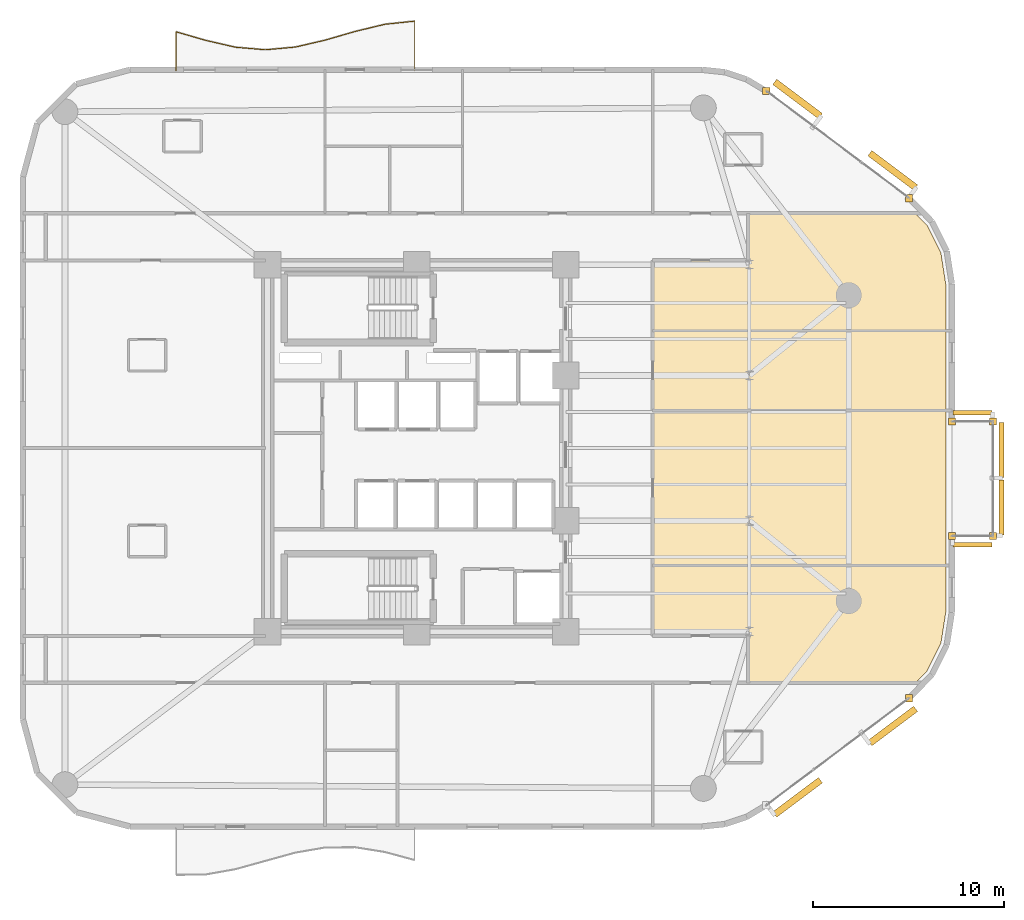
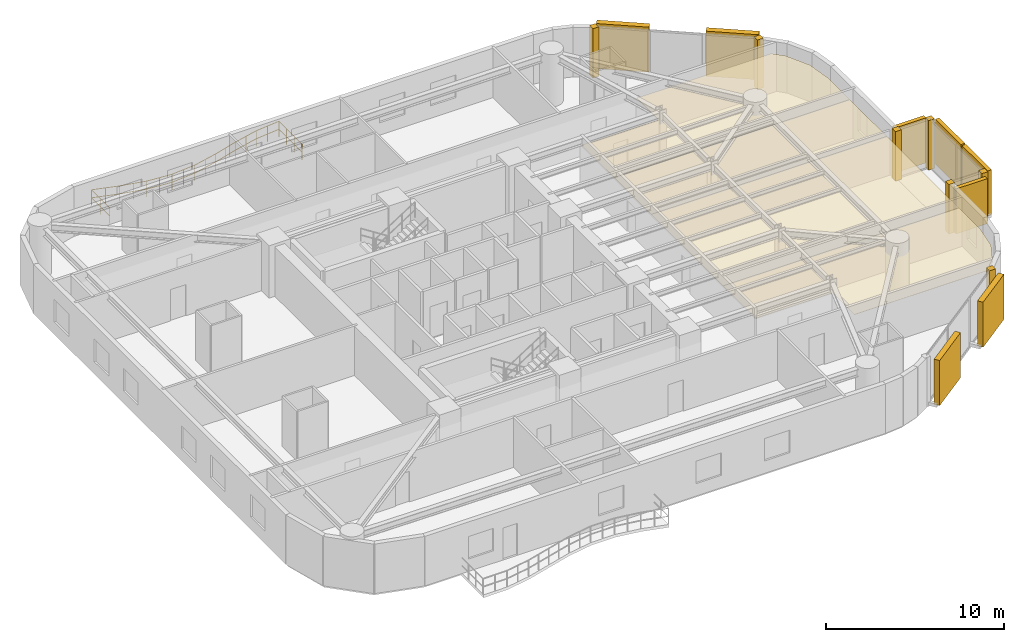
# One storey, part 13 of 13: 11 coverings, 8 shading devices, 1 railing.
"""IFC4 building model written with IfcOpenShell, lengths in metres."""

from ifc_helpers import new_model, si_unit, direction, frame, origin, origin_2d, place, context, subcontext, project, spatial, polyline, rectangle, circle, outline, extrude, material, layer, layer_set, type_object, element, save


model = new_model("IFC4")

# Units and contexts
model_context = context("Model", 3, precision=1e-05, world=origin(), true_north=direction((0.0, 1.0)))
body_context = subcontext(model_context, "Body", "Model", "MODEL_VIEW")
ifc_project = project(units=[si_unit("LENGTHUNIT", "METRE"), si_unit("AREAUNIT", "SQUARE_METRE"), si_unit("VOLUMEUNIT", "CUBIC_METRE"), si_unit("PLANEANGLEUNIT", "RADIAN"), si_unit("MASSUNIT", "GRAM", prefix="KILO")], contexts=[model_context])

# Site, building, storey
site_placement = place(None, origin())
site = spatial("IfcSite", under=ifc_project, at=site_placement, CompositionType="ELEMENT")
building_placement = place(site_placement, origin())
building = spatial("IfcBuilding", under=site, at=building_placement, Name="An Khanh Terracotta Commons", CompositionType="ELEMENT")
storey_placement = place(building_placement, frame((0.0, 0.0, 125.89990234375)))
storey = spatial("IfcBuildingStorey", under=building, at=storey_placement, Name="L33", CompositionType="ELEMENT", Elevation=125.89990234375)

# Coverings
ifc_material_1 = material(Name="Perforated Mineral-Fibre Acoustic Tile")
ifc_layer_1 = layer(ifc_material_1, 0.02001953125, Name="Perforated Mineral-Fibre Acoustic Tile")
ifc_layer_set_1 = layer_set([ifc_layer_1], Name="Perforated Mineral-Fibre Acoustic Tile")
covering_type_1 = type_object("IfcCoveringType", Name="CEIL-ACOUSTIC-18", PredefinedType="CEILING", material=ifc_layer_set_1)
covering_1_placement = place(storey_placement, frame((0.0, 0.0, 2.650146484375)))
element("IfcCovering", 1, at=covering_1_placement, inside=storey, type_object=covering_type_1, Name="L33 Collaborative Study Lounge Ceiling", PredefinedType="CEILING", context=body_context, shape_type="SweptSolid", body=[
    extrude(outline(polyline([(57.080078125, 15.425048828125), (56.825927734375, 13.7939453125), (56.10009765625, 12.342041015625), (55.492919921875, 11.719970703125), (46.75, 11.719970703125), (46.75, 14.179931640625), (41.75, 14.179931640625), (41.75, 17.860107421875), (57.080078125, 17.860107421875), (57.080078125, 15.425048828125)])), origin(), (0.0, 0.0, 1.0), 0.02001953125),
])
covering_2_placement = place(storey_placement, frame((0.0, 0.0, 2.650146484375)))
element("IfcCovering", 2, at=covering_2_placement, inside=storey, type_object=covering_type_1, Name="L33 Riverfront Reading Hall Ceiling", PredefinedType="CEILING", context=body_context, shape_type="SweptSolid", body=[
    extrude(outline(polyline([(57.080078125, 17.860107421875), (41.75, 17.860107421875), (41.75, 25.965087890625), (57.080078125, 25.965087890625), (57.080078125, 17.860107421875)])), origin(), (0.0, 0.0, 1.0), 0.02001953125),
])
covering_3_placement = place(storey_placement, frame((0.0, 0.0, 2.650146484375)))
element("IfcCovering", 3, at=covering_3_placement, inside=storey, type_object=covering_type_1, Name="L33 Collaborative Study Lounge Ceiling", PredefinedType="CEILING", context=body_context, shape_type="SweptSolid", body=[
    extrude(outline(polyline([(57.080078125, 25.965087890625), (41.75, 25.965087890625), (41.75, 30.139892578125), (57.080078125, 30.139892578125), (57.080078125, 25.965087890625)])), origin(), (0.0, 0.0, 1.0), 0.02001953125),
])
covering_4_placement = place(storey_placement, frame((0.0, 0.0, 2.650146484375)))
element("IfcCovering", 4, at=covering_4_placement, inside=storey, type_object=covering_type_1, Name="L33 Collaborative Study Lounge Ceiling", PredefinedType="CEILING", context=body_context, shape_type="SweptSolid", body=[
    extrude(outline(polyline([(56.10009765625, 35.657958984375), (56.825927734375, 34.2060546875), (57.080078125, 32.574951171875), (57.080078125, 30.139892578125), (41.75, 30.139892578125), (41.75, 33.820068359375), (46.75, 33.820068359375), (46.75, 36.280029296875), (55.492919921875, 36.280029296875), (56.10009765625, 35.657958984375)])), origin(), (0.0, 0.0, 1.0), 0.02001953125),
])
ifc_material_2 = material(Name="Fired Terracotta Rainscreen Cladding", Category="masonry")
ifc_layer_2 = layer(ifc_material_2, 0.080078125, Name="Fired Terracotta Rainscreen Cladding")
ifc_layer_set_2 = layer_set([ifc_layer_2], Name="Fired Terracotta Rainscreen Cladding")
covering_type_2 = type_object("IfcCoveringType", Name="COV-JAMB-TERRA", PredefinedType="CLADDING", material=ifc_layer_set_2)
for number, where, z_axis, x_axis, name in (
    (5, (55.159912109375, 10.919921875, 0.000244140625), (0.0, 0.0, 1.0), (1.0, 0.0, 0.0), "L33 CW-02 Curtain-Wall Jamb Closure JB"),
    (6, (59.550048828125, 19.39990234375, 0.000244140625), (0.0, 0.0, 1.0), (1.0, 0.0, 0.0), "L33 CW-04 Curtain-Wall Jamb Closure JA"),
    (7, (59.550048828125, 25.39990234375, 0.000244140625), (0.0, 0.0, 1.0), (1.0, 0.0, 0.0), "L33 CW-04 Curtain-Wall Jamb Closure JB"),
    (8, (57.39990234375, 19.39990234375, 0.000244140625), (0.0, 0.0, 1.0), (1.0, 0.0, 0.0), "L33 CW-04 Curtain-Wall Jamb Closure JA"),
    (9, (57.39990234375, 25.39990234375, 0.000244140625), (0.0, 0.0, 1.0), (1.0, 0.0, 0.0), "L33 CW-04 Curtain-Wall Jamb Closure JB"),
    (10, (55.159912109375, 37.080078125, 0.000244140625), (0.0, 0.0, 1.0), (1.0, 0.0, 0.0), "L33 CW-02 Curtain-Wall Jamb Closure JA"),
    (11, (47.693115234375, 42.679931640625, 0.000244140625), (0.0, 0.0, 1.0), (1.0, 0.0, 0.0), "L33 CW-02 Curtain-Wall Jamb Closure JB"),
):
    element("IfcCovering", number, at=place(storey_placement, frame(where, z_axis=z_axis, x_axis=x_axis)), inside=storey, type_object=covering_type_2, Name=name, PredefinedType="CLADDING", context=body_context, shape_type="SweptSolid", body=[
        extrude(rectangle(XDim=0.3798828125, YDim=0.3798828125, at=origin_2d()), origin(), (0.0, 0.0, 1.0), 3.39990234375),
    ])

# Railing
ifc_material_3 = material(Name="Brushed Stainless Steel 316", Category="steel")
railing_type = type_object("IfcRailingType", Name="RAIL-BALUSTRADE-1100", PredefinedType="BALUSTRADE", material=ifc_material_3)
railing_placement = place(storey_placement, frame((29.300048828125, 43.739990234375, 0.0)))
element("IfcRailing", 12, at=railing_placement, inside=storey, type_object=railing_type, Name="L33 N Wave Balcony Guard Balustrade", PredefinedType="BALUSTRADE", context=body_context, shape_type="SweptSolid", body=[
    extrude(circle(Radius=0.02392578125, at=origin_2d()), frame((0.0, 0.0, 1.076171875), z_axis=(0.0, 1.0, 0.0), x_axis=(-1.0, 0.0, 0.0)), (0.0, 0.0, 1.0), 2.597900390625),
    extrude(circle(Radius=0.02392578125, at=origin_2d()), frame((0.0, 0.0, 0.52587890625), z_axis=(0.0, 1.0, 0.0), x_axis=(-1.0, 0.0, 0.0)), (0.0, 0.0, 1.0), 2.597900390625),
    extrude(circle(Radius=0.02392578125, at=origin_2d()), frame((0.0, 2.597900390625, 1.076171875), z_axis=(-0.994545412949, -0.104304465784, 0.0), x_axis=(0.104304465784, -0.994545412949, 0.0)), (0.0, 0.0, 1.0), 1.570556640625),
    extrude(circle(Radius=0.02392578125, at=origin_2d()), frame((0.0, 2.597900390625, 0.52587890625), z_axis=(-0.994545412949, -0.104304465784, 0.0), x_axis=(0.104304465784, -0.994545412949, 0.0)), (0.0, 0.0, 1.0), 1.570556640625),
    extrude(circle(Radius=0.02392578125, at=origin_2d()), frame((-1.56201171875, 2.43408203125, 1.076171875), z_axis=(-0.971954296491, -0.235169822753, 0.0), x_axis=(0.235169822753, -0.971954296491, 0.0)), (0.0, 0.0, 1.0), 1.608154296875),
    extrude(circle(Radius=0.02392578125, at=origin_2d()), frame((-1.56201171875, 2.43408203125, 0.52587890625), z_axis=(-0.971954296491, -0.235169822753, 0.0), x_axis=(0.235169822753, -0.971954296491, 0.0)), (0.0, 0.0, 1.0), 1.608154296875),
    extrude(circle(Radius=0.02392578125, at=origin_2d()), frame((-3.125, 2.055908203125, 1.076171875), z_axis=(-0.960446002807, -0.278466291842, 0.0), x_axis=(0.278466291842, -0.960446002807, 0.0)), (0.0, 0.0, 1.0), 1.626220703125),
    extrude(circle(Radius=0.02392578125, at=origin_2d()), frame((-3.125, 2.055908203125, 0.52587890625), z_axis=(-0.960446002807, -0.278466291842, 0.0), x_axis=(0.278466291842, -0.960446002807, 0.0)), (0.0, 0.0, 1.0), 1.626220703125),
    extrude(circle(Radius=0.02392578125, at=origin_2d()), frame((-4.68701171875, 1.60302734375, 1.076171875), z_axis=(-0.97406966316, -0.226248295708, 0.0), x_axis=(0.226248295708, -0.97406966316, 0.0)), (0.0, 0.0, 1.0), 1.6044921875),
    extrude(circle(Radius=0.02392578125, at=origin_2d()), frame((-4.68701171875, 1.60302734375, 0.52587890625), z_axis=(-0.97406966316, -0.226248295708, 0.0), x_axis=(0.226248295708, -0.97406966316, 0.0)), (0.0, 0.0, 1.0), 1.6044921875),
    extrude(circle(Radius=0.02392578125, at=origin_2d()), frame((-6.25, 1.239990234375, 1.076171875), z_axis=(-0.996013536684, -0.089202212648, 0.0), x_axis=(0.089202212648, -0.996013536684, 0.0)), (0.0, 0.0, 1.0), 1.568359375),
    extrude(circle(Radius=0.02392578125, at=origin_2d()), frame((-6.25, 1.239990234375, 0.52587890625), z_axis=(-0.996013536684, -0.089202212648, 0.0), x_axis=(0.089202212648, -0.996013536684, 0.0)), (0.0, 0.0, 1.0), 1.568359375),
    extrude(circle(Radius=0.02392578125, at=origin_2d()), frame((-7.81201171875, 1.10009765625, 1.076171875), z_axis=(-0.996409190639, 0.084668322354, 0.0), x_axis=(-0.084668322354, -0.996409190639, 0.0)), (0.0, 0.0, 1.0), 1.568603515625),
    extrude(circle(Radius=0.02392578125, at=origin_2d()), frame((-7.81201171875, 1.10009765625, 0.52587890625), z_axis=(-0.996409190639, 0.084668322354, 0.0), x_axis=(-0.084668322354, -0.996409190639, 0.0)), (0.0, 0.0, 1.0), 1.568603515625),
    extrude(circle(Radius=0.02392578125, at=origin_2d()), frame((-9.375, 1.23291015625, 1.076171875), z_axis=(-0.974573151688, 0.224069569574, 0.0), x_axis=(-0.224069569574, -0.974573151688, 0.0)), (0.0, 0.0, 1.0), 1.602783203125),
    extrude(circle(Radius=0.02392578125, at=origin_2d()), frame((-9.375, 1.23291015625, 0.52587890625), z_axis=(-0.974573151688, 0.224069569574, 0.0), x_axis=(-0.224069569574, -0.974573151688, 0.0)), (0.0, 0.0, 1.0), 1.602783203125),
    extrude(circle(Radius=0.02392578125, at=origin_2d()), frame((-10.93701171875, 1.592041015625, 1.076171875), z_axis=(-0.960652810495, 0.277752007533, 0.0), x_axis=(-0.277752007533, -0.960652810495, 0.0)), (0.0, 0.0, 1.0), 1.626953125),
    extrude(circle(Radius=0.02392578125, at=origin_2d()), frame((-10.93701171875, 1.592041015625, 0.52587890625), z_axis=(-0.960652810495, 0.277752007533, 0.0), x_axis=(-0.277752007533, -0.960652810495, 0.0)), (0.0, 0.0, 1.0), 1.626953125),
    extrude(circle(Radius=0.02392578125, at=origin_2d()), frame((-12.5, 2.0439453125, 1.076171875), z_axis=(0.0, -1.0, 0.0), x_axis=(1.0, 0.0, 0.0)), (0.0, 0.0, 1.0), 2.0439453125),
    extrude(circle(Radius=0.02392578125, at=origin_2d()), frame((-12.5, 2.0439453125, 0.52587890625), z_axis=(0.0, -1.0, 0.0), x_axis=(1.0, 0.0, 0.0)), (0.0, 0.0, 1.0), 2.0439453125),
    extrude(circle(Radius=0.02099609375, at=origin_2d()), origin(), (0.0, 0.0, 1.0), 1.052001953125),
    extrude(circle(Radius=0.02099609375, at=origin_2d()), frame((0.0, 0.865966796875, 0.0)), (0.0, 0.0, 1.0), 1.052001953125),
    extrude(circle(Radius=0.02099609375, at=origin_2d()), frame((0.0, 1.73193359375, 0.0)), (0.0, 0.0, 1.0), 1.052001953125),
    extrude(circle(Radius=0.02099609375, at=origin_2d()), frame((0.0, 2.597900390625, 0.0)), (0.0, 0.0, 1.0), 1.052001953125),
    extrude(circle(Radius=0.02099609375, at=origin_2d()), frame((-0.781005859375, 2.51611328125, 0.0)), (0.0, 0.0, 1.0), 1.052001953125),
    extrude(circle(Radius=0.02099609375, at=origin_2d()), frame((-1.56201171875, 2.43408203125, 0.0)), (0.0, 0.0, 1.0), 1.052001953125),
    extrude(circle(Radius=0.02099609375, at=origin_2d()), frame((-2.343505859375, 2.2451171875, 0.0)), (0.0, 0.0, 1.0), 1.052001953125),
    extrude(circle(Radius=0.02099609375, at=origin_2d()), frame((-3.125, 2.055908203125, 0.0)), (0.0, 0.0, 1.0), 1.052001953125),
    extrude(circle(Radius=0.02099609375, at=origin_2d()), frame((-3.906005859375, 1.82958984375, 0.0)), (0.0, 0.0, 1.0), 1.052001953125),
    extrude(circle(Radius=0.02099609375, at=origin_2d()), frame((-4.68701171875, 1.60302734375, 0.0)), (0.0, 0.0, 1.0), 1.052001953125),
    extrude(circle(Radius=0.02099609375, at=origin_2d()), frame((-5.468505859375, 1.42138671875, 0.0)), (0.0, 0.0, 1.0), 1.052001953125),
    extrude(circle(Radius=0.02099609375, at=origin_2d()), frame((-6.25, 1.239990234375, 0.0)), (0.0, 0.0, 1.0), 1.052001953125),
    extrude(circle(Radius=0.02099609375, at=origin_2d()), frame((-7.031005859375, 1.169921875, 0.0)), (0.0, 0.0, 1.0), 1.052001953125),
    extrude(circle(Radius=0.02099609375, at=origin_2d()), frame((-7.81201171875, 1.10009765625, 0.0)), (0.0, 0.0, 1.0), 1.052001953125),
    extrude(circle(Radius=0.02099609375, at=origin_2d()), frame((-8.593505859375, 1.16650390625, 0.0)), (0.0, 0.0, 1.0), 1.052001953125),
    extrude(circle(Radius=0.02099609375, at=origin_2d()), frame((-9.375, 1.23291015625, 0.0)), (0.0, 0.0, 1.0), 1.052001953125),
    extrude(circle(Radius=0.02099609375, at=origin_2d()), frame((-10.156005859375, 1.41259765625, 0.0)), (0.0, 0.0, 1.0), 1.052001953125),
    extrude(circle(Radius=0.02099609375, at=origin_2d()), frame((-10.93701171875, 1.592041015625, 0.0)), (0.0, 0.0, 1.0), 1.052001953125),
    extrude(circle(Radius=0.02099609375, at=origin_2d()), frame((-11.718505859375, 1.81787109375, 0.0)), (0.0, 0.0, 1.0), 1.052001953125),
    extrude(circle(Radius=0.02099609375, at=origin_2d()), frame((-12.5, 2.0439453125, 0.0)), (0.0, 0.0, 1.0), 1.052001953125),
    extrude(circle(Radius=0.02099609375, at=origin_2d()), frame((-12.5, 1.02197265625, 0.0)), (0.0, 0.0, 1.0), 1.052001953125),
    extrude(circle(Radius=0.02099609375, at=origin_2d()), frame((-12.5, 0.0, 0.0)), (0.0, 0.0, 1.0), 1.052001953125),
])

# Shading devices
ifc_material_4 = material(Name="Warm Hardwood Timber-Finish Aluminium", Category="wood")
shading_device_type_1 = type_object("IfcShadingDeviceType", Name="Shifted Box Timber-Toned Louvre Screen", PredefinedType="USERDEFINED", material=ifc_material_4)
for number, where, z_axis, x_axis, name in (
    (13, (60.0, 20.89990234375, 0.150146484375), (0.0, 0.0, 1.0), (0.0, 1.0, 0.0), "L33 Louvre Screen 1"),
    (14, (60.0, 23.89990234375, 0.150146484375), (0.0, 0.0, 1.0), (0.0, 1.0, 0.0), "L33 Louvre Screen 2"),
):
    element("IfcShadingDevice", number, at=place(storey_placement, frame(where, z_axis=z_axis, x_axis=x_axis)), inside=storey, type_object=shading_device_type_1, Name=name, ObjectType="LOUVRE", PredefinedType="USERDEFINED", context=body_context, shape_type="SweptSolid", body=[
        extrude(rectangle(XDim=2.8798828125, YDim=0.25, at=origin_2d()), origin(), (0.0, 0.0, 1.0), 3.10009765625),
    ])
for number, where, z_axis, x_axis, name in (
    (15, (58.47509765625, 18.949951171875, 0.150146484375), (0.0, 0.0, 1.0), (1.0, 0.0, 0.0), "L33 Louvre Screen 1"),
    (16, (58.47509765625, 25.85009765625, 0.150146484375), (0.0, 0.0, 1.0), (-1.0, 0.0, 0.0), "L33 Louvre Screen 1"),
):
    element("IfcShadingDevice", number, at=place(storey_placement, frame(where, z_axis=z_axis, x_axis=x_axis)), inside=storey, type_object=shading_device_type_1, Name=name, ObjectType="LOUVRE", PredefinedType="USERDEFINED", context=body_context, shape_type="SweptSolid", body=[
        extrude(rectangle(XDim=2.030029296875, YDim=0.25, at=origin_2d()), origin(), (0.0, 0.0, 1.0), 3.10009765625),
    ])
ifc_material_5 = material(Name="Extruded Fired Terracotta", Category="masonry")
shading_device_type_2 = type_object("IfcShadingDeviceType", Name="Terracotta Baguette Screen Assembly", PredefinedType="USERDEFINED", material=ifc_material_5)
for number, where, z_axis, x_axis, name in (
    (17, (49.326904296875, 5.73291015625, 0.150146484375), (0.0, 0.0, 1.0), (0.800012856594, 0.599982857492, 0.0), "L33 Terracotta Baguette Screen 1"),
    (18, (54.304931640625, 9.467041015625, 0.150146484375), (0.0, 0.0, 1.0), (0.800012856594, 0.599982857492, 0.0), "L33 Terracotta Baguette Screen 3"),
    (19, (54.304931640625, 38.532958984375, 0.150146484375), (0.0, 0.0, 1.0), (-0.800012856594, 0.599982857492, 0.0), "L33 Terracotta Baguette Screen 1"),
    (20, (49.326904296875, 42.26708984375, 0.150146484375), (0.0, 0.0, 1.0), (-0.800012856594, 0.599982857492, 0.0), "L33 Terracotta Baguette Screen 3"),
):
    element("IfcShadingDevice", number, at=place(storey_placement, frame(where, z_axis=z_axis, x_axis=x_axis)), inside=storey, type_object=shading_device_type_2, Name=name, ObjectType="BAGUETTE", PredefinedType="USERDEFINED", context=body_context, shape_type="SweptSolid", body=[
        extrude(rectangle(XDim=2.990966796875, YDim=0.35009765625, at=origin_2d()), origin(), (0.0, 0.0, 1.0), 3.10009765625),
    ])

save(model, "model.ifc")
